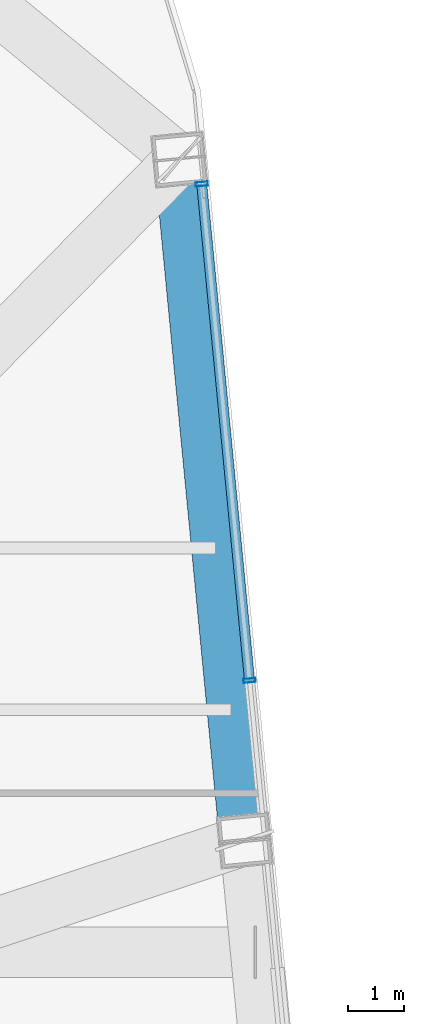
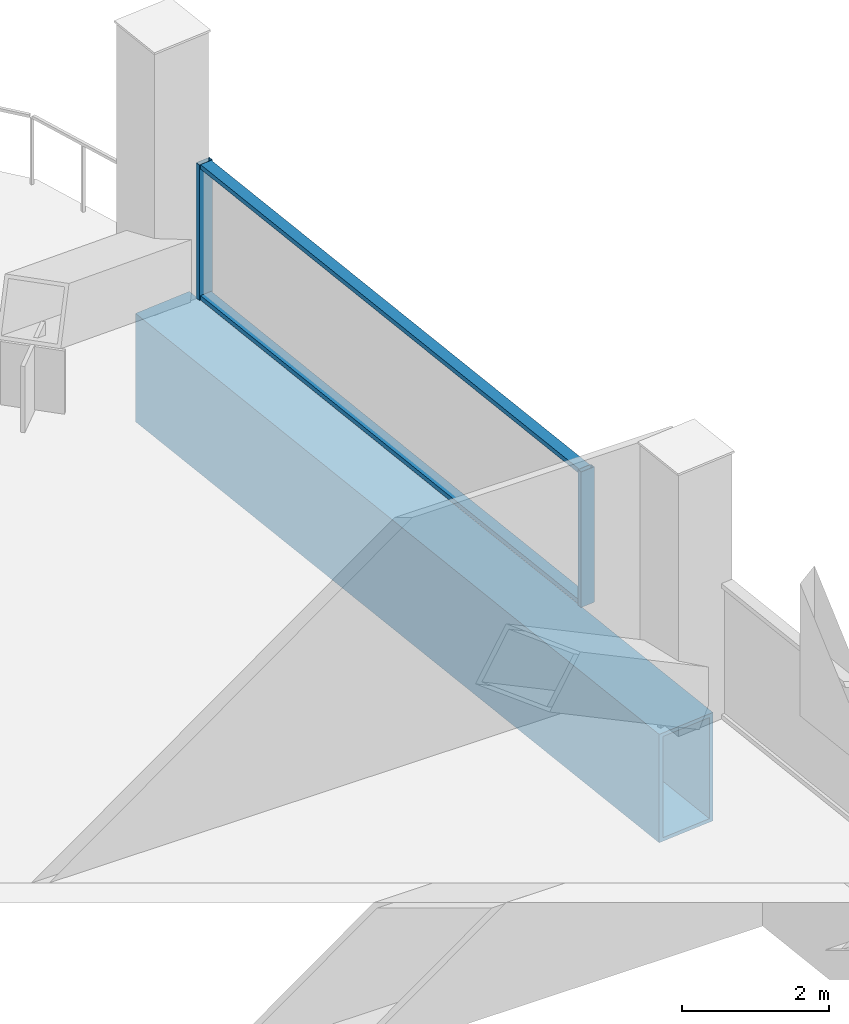
# One storey, part 19 of 30: 4 members, 1 beam, 1 element without a shape of its own.
"""IFC4 building model written with IfcOpenShell, lengths in metres."""

from ifc_helpers import new_model, si_unit, direction, frame, origin, origin_2d, place, context, subcontext, project, spatial, hollow_rectangle, extrude, material, layer, layer_set, material_profile, profile_set, type_object, element, aggregate, save


model = new_model("IFC4")

# Units and contexts
model_context = context("Model", 3, precision=1e-05, world=origin(), true_north=direction((0.0, 1.0)))
body_context = subcontext(model_context, "Body", "Model", "MODEL_VIEW")
ifc_project = project(units=[si_unit("LENGTHUNIT", "METRE"), si_unit("AREAUNIT", "SQUARE_METRE"), si_unit("VOLUMEUNIT", "CUBIC_METRE"), si_unit("PLANEANGLEUNIT", "RADIAN"), si_unit("MASSUNIT", "GRAM", prefix="KILO")], contexts=[model_context])

# Site, building, storey
site_placement = place(None, origin())
site = spatial("IfcSite", under=ifc_project, at=site_placement, CompositionType="ELEMENT")
building_placement = place(site_placement, origin())
building = spatial("IfcBuilding", under=site, at=building_placement, Name="Qhalaya Broadcast Tower", CompositionType="ELEMENT")
storey_placement = place(building_placement, frame((0.0, 0.0, 96.89990234375)))
storey = spatial("IfcBuildingStorey", under=building, at=storey_placement, Name="L28", CompositionType="ELEMENT", Elevation=96.89990234375)

# Beam
ifc_material_1 = material(Name="Structural Steel ASTM A572 Grade 50", Category="steel")
ifc_material_profile_1 = material_profile(ifc_material_1, hollow_rectangle(XDim=0.89990234375, YDim=1.800048828125, WallThickness=0.06005859375, at=origin_2d()), Name="BOX 900x1800x60")
ifc_profile_set_1 = profile_set([ifc_material_profile_1], Name="Structural Steel ASTM A572 Grade 50")
beam_type = type_object("IfcBeamType", Name="Block Cantilever Transfer Box Girder TG1", PredefinedType="USERDEFINED", material=ifc_profile_set_1)
beam_placement = place(storey_placement, frame((26.941162109375, 11.955078125, -1.119873046875), z_axis=(-0.095851586307, 0.99539563662, 0.0), x_axis=(-0.99539563662, -0.095851586307, 0.0)))
element("IfcBeam", 1, at=beam_placement, inside=storey, type_object=beam_type, Name="L28 TG1 L28-SPR-07", ObjectType="GIRDER", PredefinedType="USERDEFINED", context=body_context, shape_type="SweptSolid", body=[
    extrude(hollow_rectangle(XDim=0.89990234375, YDim=1.800048828125, WallThickness=0.06005859375, at=origin_2d()), origin(), (0.0, 0.0, 1.0), 12.2666015625),
])

# Curtain wall, members
ifc_material_2 = material(Name="Fired Architectural Terracotta", Category="masonry")
ifc_layer = layer(ifc_material_2, 0.219970703125, Name="Fired Architectural Terracotta")
ifc_layer_set = layer_set([ifc_layer], Name="Fired Architectural Terracotta")
curtain_wall_type = type_object("IfcCurtainWallType", Name="Block-Cap Unitised Terracotta Spandrel Wall CW-07", PredefinedType="NOTDEFINED", material=ifc_layer_set)
curtain_wall_placement = place(storey_placement, origin())
curtain_wall = element("IfcCurtainWall", 2, at=curtain_wall_placement, inside=storey, type_object=curtain_wall_type, Name="L28 Unitised Curtain Wall L28-CW-E", PredefinedType="NOTDEFINED")
ifc_material_3 = material(Name="Anodised Aluminium 6063-T6", Category="aluminium")
ifc_material_profile_2 = material_profile(ifc_material_3, hollow_rectangle(XDim=0.074951171875, YDim=0.219970703125, WallThickness=0.00390625, at=origin_2d()), Name="ALU-MUL 75x220x4")
ifc_profile_set_2 = profile_set([ifc_material_profile_2], Name="Anodised Aluminium 6063-T6")
member_type_1 = type_object("IfcMemberType", Name="Unitised Curtain-Wall Mullion M01", PredefinedType="MULLION", material=ifc_profile_set_2)
member_1_placement = place(storey_placement, frame((26.16943359375, 23.726318359375, 0.0), z_axis=(0.0, 0.0, 1.0), x_axis=(0.095846812756, -0.995396096278, 0.0)))
member_1 = element("IfcMember", 3, at=member_1_placement, type_object=member_type_1, Name="CW-07 mullion 1", PredefinedType="MULLION", context=body_context, shape_type="SweptSolid", body=[
    extrude(hollow_rectangle(XDim=0.074951171875, YDim=0.219970703125, WallThickness=0.00390625, at=origin_2d()), origin(), (0.0, 0.0, 1.0), 2.25),
])
member_2_placement = place(storey_placement, frame((27.026611328125, 14.823974609375, 0.0), z_axis=(0.0, 0.0, 1.0), x_axis=(0.095846812756, -0.995396096278, 0.0)))
member_2 = element("IfcMember", 4, at=member_2_placement, type_object=member_type_1, Name="CW-07 mullion 2", PredefinedType="MULLION", context=body_context, shape_type="SweptSolid", body=[
    extrude(hollow_rectangle(XDim=0.074951171875, YDim=0.219970703125, WallThickness=0.00390625, at=origin_2d()), origin(), (0.0, 0.0, 1.0), 2.25),
])
ifc_material_profile_3 = material_profile(ifc_material_3, hollow_rectangle(XDim=0.074951171875, YDim=0.179931640625, WallThickness=0.00390625, at=origin_2d()), Name="ALU-TRN 75x180x4")
ifc_profile_set_3 = profile_set([ifc_material_profile_3], Name="Anodised Aluminium 6063-T6")
member_type_2 = type_object("IfcMemberType", Name="Unitised Curtain-Wall Transom T01", PredefinedType="USERDEFINED", material=ifc_profile_set_3)
member_3_placement = place(storey_placement, frame((26.173095703125, 23.68896484375, 0.03759765625), z_axis=(0.095828857485, -0.995397825029, 0.0), x_axis=(0.0, 0.0, 1.0)))
member_3 = element("IfcMember", 5, at=member_3_placement, type_object=member_type_2, Name="CW-07 transom 1.1", ObjectType="TRANSOM", PredefinedType="USERDEFINED", context=body_context, shape_type="SweptSolid", body=[
    extrude(hollow_rectangle(XDim=0.074951171875, YDim=0.179931640625, WallThickness=0.00390625, at=origin_2d()), origin(), (0.0, 0.0, 1.0), 8.868408203125),
])
member_4_placement = place(storey_placement, frame((26.173095703125, 23.68896484375, 2.212646484375), z_axis=(0.095828857485, -0.995397825029, 0.0), x_axis=(0.0, 0.0, 1.0)))
member_4 = element("IfcMember", 6, at=member_4_placement, type_object=member_type_2, Name="CW-07 transom 1.2", ObjectType="TRANSOM", PredefinedType="USERDEFINED", context=body_context, shape_type="SweptSolid", body=[
    extrude(hollow_rectangle(XDim=0.074951171875, YDim=0.179931640625, WallThickness=0.00390625, at=origin_2d()), origin(), (0.0, 0.0, 1.0), 8.868408203125),
])
aggregate(curtain_wall, [member_1, member_2, member_3, member_4])

save(model, "model.ifc")
